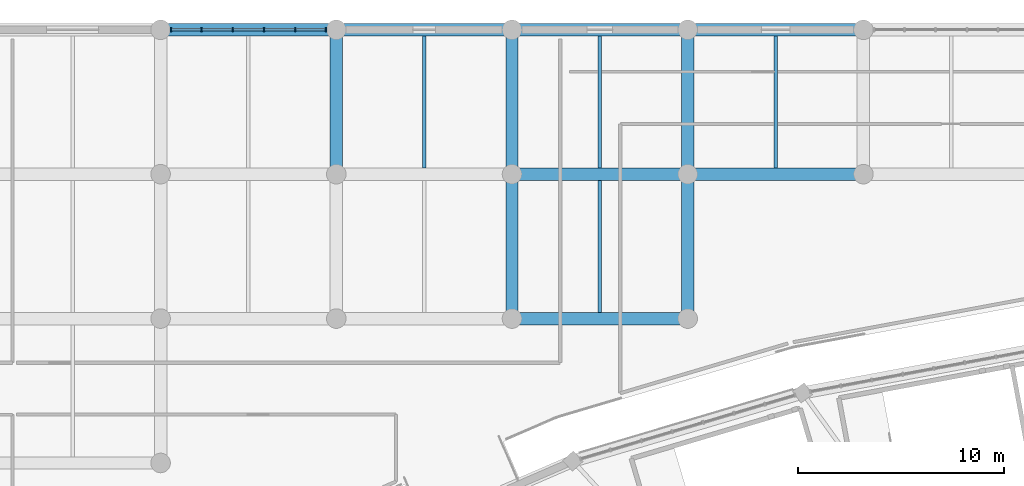
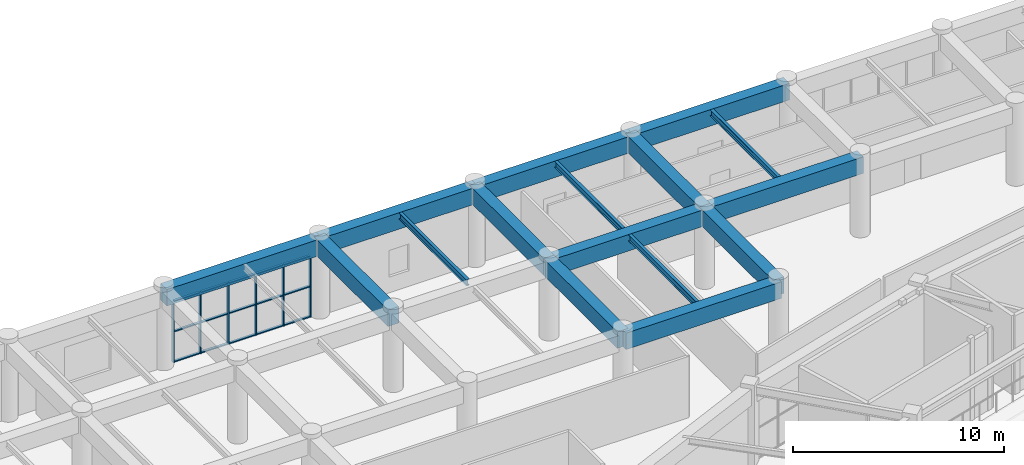
# One storey, part 57 of 137: 21 members, 16 beams, 1 element without a shape of its own.
"""IFC4 building model written with IfcOpenShell, lengths in metres."""

from ifc_helpers import new_model, si_unit, direction, frame, origin, origin_2d, place, context, subcontext, project, spatial, rectangle, i_section, extrude, material, layer, layer_set, material_profile, profile_set, type_object, element, aggregate, save


model = new_model("IFC4")

# Units and contexts
model_context = context("Model", 3, precision=1e-05, world=origin(), true_north=direction((0.0, 1.0)))
body_context = subcontext(model_context, "Body", "Model", "MODEL_VIEW")
ifc_project = project(units=[si_unit("LENGTHUNIT", "METRE"), si_unit("AREAUNIT", "SQUARE_METRE"), si_unit("VOLUMEUNIT", "CUBIC_METRE"), si_unit("PLANEANGLEUNIT", "RADIAN"), si_unit("MASSUNIT", "GRAM", prefix="KILO")], contexts=[model_context])

# Site, building, storey
site_placement = place(None, origin())
site = spatial("IfcSite", under=ifc_project, at=site_placement, CompositionType="ELEMENT")
building_placement = place(site_placement, origin())
building = spatial("IfcBuilding", under=site, at=building_placement, Name="Mphavela Belvedere Stadium", CompositionType="ELEMENT")
storey_placement = place(building_placement, frame((0.0, 0.0, 19.199951171875)))
storey = spatial("IfcBuildingStorey", under=building, at=storey_placement, Name="L04", CompositionType="ELEMENT", Elevation=19.199951171875)

# Beams
ifc_material_1 = material(Name="Concrete C40/50", Category="concrete")
ifc_material_profile_1 = material_profile(ifc_material_1, rectangle(XDim=0.60009765625, YDim=0.949951171875, at=origin_2d()), Name="RC 600x950")
ifc_profile_set_1 = profile_set([ifc_material_profile_1], Name="Concrete C40/50")
beam_type_1 = type_object("IfcBeamType", Name="BM-ENTABLATURE-950", PredefinedType="SPANDREL", material=ifc_profile_set_1)
beam_1_placement = place(storey_placement, frame((34.073974609375, 174.0, 4.06494140625), z_axis=(1.0, 0.0, 0.0), x_axis=(0.0, 1.0, 0.0)))
element("IfcBeam", 1, at=beam_1_placement, inside=storey, type_object=beam_type_1, Name="North Mast and Ceremonial End Forecourt entablature beam X L04 5-8", PredefinedType="SPANDREL", context=body_context, shape_type="SweptSolid", body=[
    extrude(rectangle(XDim=0.60009765625, YDim=0.949951171875, at=origin_2d()), origin(), (0.0, 0.0, 1.0), 8.51904296875),
])
beam_2_placement = place(storey_placement, frame((42.593017578125, 167.0, 4.06494140625), z_axis=(0.0, 1.0, 0.0), x_axis=(-1.0, 0.0, 0.0)))
element("IfcBeam", 2, at=beam_2_placement, inside=storey, type_object=beam_type_1, Name="North Mast and Ceremonial End Forecourt entablature beam Y L04 6-7", PredefinedType="SPANDREL", context=body_context, shape_type="SweptSolid", body=[
    extrude(rectangle(XDim=0.60009765625, YDim=0.949951171875, at=origin_2d()), origin(), (0.0, 0.0, 1.0), 7.0),
])
beam_3_placement = place(storey_placement, frame((42.593017578125, 174.0, 4.06494140625), z_axis=(1.0, 0.0, 0.0), x_axis=(0.0, 1.0, 0.0)))
element("IfcBeam", 3, at=beam_3_placement, inside=storey, type_object=beam_type_1, Name="North Mast and Ceremonial End Forecourt entablature beam X L04 6-8", PredefinedType="SPANDREL", context=body_context, shape_type="SweptSolid", body=[
    extrude(rectangle(XDim=0.60009765625, YDim=0.949951171875, at=origin_2d()), origin(), (0.0, 0.0, 1.0), 8.51806640625),
])
beam_4_placement = place(storey_placement, frame((51.111083984375, 160.0, 4.06494140625), z_axis=(1.0, 0.0, 0.0), x_axis=(0.0, 1.0, 0.0)))
element("IfcBeam", 4, at=beam_4_placement, inside=storey, type_object=beam_type_1, Name="North Mast and Ceremonial End Forecourt entablature beam X L04 7-6", PredefinedType="SPANDREL", context=body_context, shape_type="SweptSolid", body=[
    extrude(rectangle(XDim=0.60009765625, YDim=0.949951171875, at=origin_2d()), origin(), (0.0, 0.0, 1.0), 8.518798828125),
])
beam_5_placement = place(storey_placement, frame((51.111083984375, 160.0, 4.06494140625), z_axis=(0.0, 1.0, 0.0), x_axis=(-1.0, 0.0, 0.0)))
element("IfcBeam", 5, at=beam_5_placement, inside=storey, type_object=beam_type_1, Name="North Mast and Ceremonial End Forecourt entablature beam Y L04 7-6", PredefinedType="SPANDREL", context=body_context, shape_type="SweptSolid", body=[
    extrude(rectangle(XDim=0.60009765625, YDim=0.949951171875, at=origin_2d()), origin(), (0.0, 0.0, 1.0), 7.0),
])
beam_6_placement = place(storey_placement, frame((51.111083984375, 167.0, 4.06494140625), z_axis=(1.0, 0.0, 0.0), x_axis=(0.0, 1.0, 0.0)))
element("IfcBeam", 6, at=beam_6_placement, inside=storey, type_object=beam_type_1, Name="North Mast and Ceremonial End Forecourt entablature beam X L04 7-7", PredefinedType="SPANDREL", context=body_context, shape_type="SweptSolid", body=[
    extrude(rectangle(XDim=0.60009765625, YDim=0.949951171875, at=origin_2d()), origin(), (0.0, 0.0, 1.0), 8.518798828125),
])
beam_7_placement = place(storey_placement, frame((51.111083984375, 167.0, 4.06494140625), z_axis=(0.0, 1.0, 0.0), x_axis=(-1.0, 0.0, 0.0)))
element("IfcBeam", 7, at=beam_7_placement, inside=storey, type_object=beam_type_1, Name="North Mast and Ceremonial End Forecourt entablature beam Y L04 7-7", PredefinedType="SPANDREL", context=body_context, shape_type="SweptSolid", body=[
    extrude(rectangle(XDim=0.60009765625, YDim=0.949951171875, at=origin_2d()), origin(), (0.0, 0.0, 1.0), 7.0),
])
beam_8_placement = place(storey_placement, frame((51.111083984375, 174.0, 4.06494140625), z_axis=(1.0, 0.0, 0.0), x_axis=(0.0, 1.0, 0.0)))
element("IfcBeam", 8, at=beam_8_placement, inside=storey, type_object=beam_type_1, Name="North Mast and Ceremonial End Forecourt entablature beam X L04 7-8", PredefinedType="SPANDREL", context=body_context, shape_type="SweptSolid", body=[
    extrude(rectangle(XDim=0.60009765625, YDim=0.949951171875, at=origin_2d()), origin(), (0.0, 0.0, 1.0), 8.518798828125),
])
beam_9_placement = place(storey_placement, frame((59.6298828125, 160.0, 4.06494140625), z_axis=(0.0, 1.0, 0.0), x_axis=(-1.0, 0.0, 0.0)))
element("IfcBeam", 9, at=beam_9_placement, inside=storey, type_object=beam_type_1, Name="North Mast and Ceremonial End Forecourt entablature beam Y L04 8-6", PredefinedType="SPANDREL", context=body_context, shape_type="SweptSolid", body=[
    extrude(rectangle(XDim=0.60009765625, YDim=0.949951171875, at=origin_2d()), origin(), (0.0, 0.0, 1.0), 7.0),
])
beam_10_placement = place(storey_placement, frame((59.6298828125, 167.0, 4.06494140625), z_axis=(1.0, 0.0, 0.0), x_axis=(0.0, 1.0, 0.0)))
element("IfcBeam", 10, at=beam_10_placement, inside=storey, type_object=beam_type_1, Name="North Mast and Ceremonial End Forecourt entablature beam X L04 8-7", PredefinedType="SPANDREL", context=body_context, shape_type="SweptSolid", body=[
    extrude(rectangle(XDim=0.60009765625, YDim=0.949951171875, at=origin_2d()), origin(), (0.0, 0.0, 1.0), 8.51806640625),
])
beam_11_placement = place(storey_placement, frame((59.6298828125, 167.0, 4.06494140625), z_axis=(0.0, 1.0, 0.0), x_axis=(-1.0, 0.0, 0.0)))
element("IfcBeam", 11, at=beam_11_placement, inside=storey, type_object=beam_type_1, Name="North Mast and Ceremonial End Forecourt entablature beam Y L04 8-7", PredefinedType="SPANDREL", context=body_context, shape_type="SweptSolid", body=[
    extrude(rectangle(XDim=0.60009765625, YDim=0.949951171875, at=origin_2d()), origin(), (0.0, 0.0, 1.0), 7.0),
])
beam_12_placement = place(storey_placement, frame((59.6298828125, 174.0, 4.06494140625), z_axis=(1.0, 0.0, 0.0), x_axis=(0.0, 1.0, 0.0)))
element("IfcBeam", 12, at=beam_12_placement, inside=storey, type_object=beam_type_1, Name="North Mast and Ceremonial End Forecourt entablature beam X L04 8-8", PredefinedType="SPANDREL", context=body_context, shape_type="SweptSolid", body=[
    extrude(rectangle(XDim=0.60009765625, YDim=0.949951171875, at=origin_2d()), origin(), (0.0, 0.0, 1.0), 8.51806640625),
])
ifc_material_2 = material(Name="Steel S355", Category="steel")
ifc_material_profile_2 = material_profile(ifc_material_2, i_section(OverallWidth=0.169921875, OverallDepth=0.360107421875, WebThickness=0.008056640625, FlangeThickness=0.0126953125, at=origin_2d()), Name="IPE 360")
ifc_profile_set_2 = profile_set([ifc_material_profile_2], Name="Steel S355")
beam_type_2 = type_object("IfcBeamType", Name="BM-JOIST-IPE360", PredefinedType="JOIST", material=ifc_profile_set_2)
for number, where, z_axis, x_axis, name in (
    (13, (46.85205078125, 167.300048828125, 4.360107421875), (0.0, 1.0, 0.0), (-1.0, 0.0, 0.0), "North Mast and Ceremonial End Forecourt secondary joist L04 6-7"),
    (14, (55.37060546875, 160.300048828125, 4.360107421875), (0.0, 1.0, 0.0), (-1.0, 0.0, 0.0), "North Mast and Ceremonial End Forecourt secondary joist L04 7-6"),
    (15, (55.37060546875, 167.300048828125, 4.360107421875), (0.0, 1.0, 0.0), (-1.0, 0.0, 0.0), "North Mast and Ceremonial End Forecourt secondary joist L04 7-7"),
    (16, (63.888916015625, 167.300048828125, 4.360107421875), (0.0, 1.0, 0.0), (-1.0, 0.0, 0.0), "North Mast and Ceremonial End Forecourt secondary joist L04 8-7"),
):
    element("IfcBeam", number, at=place(storey_placement, frame(where, z_axis=z_axis, x_axis=x_axis)), inside=storey, type_object=beam_type_2, Name=name, PredefinedType="JOIST", context=body_context, shape_type="SweptSolid", body=[
        extrude(i_section(OverallWidth=0.169921875, OverallDepth=0.360107421875, WebThickness=0.008056640625, FlangeThickness=0.0126953125, at=origin_2d()), origin(), (0.0, 0.0, 1.0), 6.39990234375),
    ])

# Curtain wall, members
ifc_material_3 = material(Name="Anodised bronze unitised curtain wall framing")
ifc_layer = layer(ifc_material_3, 0.195068359375)
ifc_layer_set = layer_set([ifc_layer], Name="Anodised bronze unitised curtain wall framing")
curtain_wall_type = type_object("IfcCurtainWallType", Name="CW-UNIT-04", PredefinedType="USERDEFINED", material=ifc_layer_set)
curtain_wall_placement = place(storey_placement, origin())
curtain_wall = element("IfcCurtainWall", 17, at=curtain_wall_placement, inside=storey, type_object=curtain_wall_type, Name="North Mast and Ceremonial End Forecourt gallery curtain wall L04-05", ObjectType="UNITISED CURTAIN WALL", PredefinedType="USERDEFINED")
ifc_material_4 = material(Name="Anodised bronze extruded aluminium", Category="aluminium")
ifc_material_profile_3 = material_profile(ifc_material_4, rectangle(XDim=0.179931640625, YDim=0.06494140625, at=origin_2d()), Name="CW-MUL 180x65")
ifc_profile_set_3 = profile_set([ifc_material_profile_3], Name="Anodised bronze extruded aluminium")
member_type_1 = type_object("IfcMemberType", Name="CWM-180x65", PredefinedType="MULLION", material=ifc_profile_set_3)
member_1_placement = place(storey_placement, frame((34.57958984375, 174.0, 0.0), z_axis=(0.0, 0.0, 1.0), x_axis=(0.0, 1.0, 0.0)))
member_1 = element("IfcMember", 18, at=member_1_placement, type_object=member_type_1, Name="CW-04 mullion 1", PredefinedType="MULLION", context=body_context, shape_type="SweptSolid", body=[
    extrude(rectangle(XDim=0.179931640625, YDim=0.06494140625, at=origin_2d()), origin(), (0.0, 0.0, 1.0), 3.56005859375),
])
member_2_placement = place(storey_placement, frame((36.0615234375, 174.0, 0.0), z_axis=(0.0, 0.0, 1.0), x_axis=(0.0, 1.0, 0.0)))
member_2 = element("IfcMember", 19, at=member_2_placement, type_object=member_type_1, Name="CW-04 mullion 2", PredefinedType="MULLION", context=body_context, shape_type="SweptSolid", body=[
    extrude(rectangle(XDim=0.179931640625, YDim=0.06494140625, at=origin_2d()), origin(), (0.0, 0.0, 1.0), 3.56005859375),
])
member_3_placement = place(storey_placement, frame((37.576171875, 174.0, 0.0), z_axis=(0.0, 0.0, 1.0), x_axis=(0.0, 1.0, 0.0)))
member_3 = element("IfcMember", 20, at=member_3_placement, type_object=member_type_1, Name="CW-04 mullion 3", PredefinedType="MULLION", context=body_context, shape_type="SweptSolid", body=[
    extrude(rectangle(XDim=0.179931640625, YDim=0.06494140625, at=origin_2d()), origin(), (0.0, 0.0, 1.0), 3.56005859375),
])
member_4_placement = place(storey_placement, frame((39.0908203125, 174.0, 0.0), z_axis=(0.0, 0.0, 1.0), x_axis=(0.0, 1.0, 0.0)))
member_4 = element("IfcMember", 21, at=member_4_placement, type_object=member_type_1, Name="CW-04 mullion 4", PredefinedType="MULLION", context=body_context, shape_type="SweptSolid", body=[
    extrude(rectangle(XDim=0.179931640625, YDim=0.06494140625, at=origin_2d()), origin(), (0.0, 0.0, 1.0), 3.56005859375),
])
member_5_placement = place(storey_placement, frame((40.60546875, 174.0, 0.0), z_axis=(0.0, 0.0, 1.0), x_axis=(0.0, 1.0, 0.0)))
member_5 = element("IfcMember", 22, at=member_5_placement, type_object=member_type_1, Name="CW-04 mullion 5", PredefinedType="MULLION", context=body_context, shape_type="SweptSolid", body=[
    extrude(rectangle(XDim=0.179931640625, YDim=0.06494140625, at=origin_2d()), origin(), (0.0, 0.0, 1.0), 3.56005859375),
])
member_6_placement = place(storey_placement, frame((42.08740234375, 174.0, 0.0), z_axis=(0.0, 0.0, 1.0), x_axis=(0.0, 1.0, 0.0)))
member_6 = element("IfcMember", 23, at=member_6_placement, type_object=member_type_1, Name="CW-04 mullion 6", PredefinedType="MULLION", context=body_context, shape_type="SweptSolid", body=[
    extrude(rectangle(XDim=0.179931640625, YDim=0.06494140625, at=origin_2d()), origin(), (0.0, 0.0, 1.0), 3.56005859375),
])
ifc_material_5 = material(Name="Anodised bronze extruded aluminium", Category="aluminium")
ifc_material_profile_4 = material_profile(ifc_material_5, rectangle(XDim=0.139892578125, YDim=0.06005859375, at=origin_2d()), Name="CW-TRN 140x60")
ifc_profile_set_4 = profile_set([ifc_material_profile_4], Name="Anodised bronze extruded aluminium")
member_type_2 = type_object("IfcMemberType", Name="CWT-140x60", PredefinedType="USERDEFINED", material=ifc_profile_set_4)
member_7_placement = place(storey_placement, frame((34.612060546875, 174.0, 0.030029296875), z_axis=(1.0, 0.0, 0.0), x_axis=(0.0, 1.0, 0.0)))
member_7 = element("IfcMember", 24, at=member_7_placement, type_object=member_type_2, Name="CW-04 transom 1.1", ObjectType="TRANSOM", PredefinedType="USERDEFINED", context=body_context, shape_type="SweptSolid", body=[
    extrude(rectangle(XDim=0.139892578125, YDim=0.06005859375, at=origin_2d()), origin(), (0.0, 0.0, 1.0), 1.4169921875),
])
member_8_placement = place(storey_placement, frame((34.612060546875, 174.0, 1.780029296875), z_axis=(1.0, 0.0, 0.0), x_axis=(0.0, 1.0, 0.0)))
member_8 = element("IfcMember", 25, at=member_8_placement, type_object=member_type_2, Name="CW-04 transom 1.2", ObjectType="TRANSOM", PredefinedType="USERDEFINED", context=body_context, shape_type="SweptSolid", body=[
    extrude(rectangle(XDim=0.139892578125, YDim=0.06005859375, at=origin_2d()), origin(), (0.0, 0.0, 1.0), 1.4169921875),
])
member_9_placement = place(storey_placement, frame((34.612060546875, 174.0, 3.530029296875), z_axis=(1.0, 0.0, 0.0), x_axis=(0.0, 1.0, 0.0)))
member_9 = element("IfcMember", 26, at=member_9_placement, type_object=member_type_2, Name="CW-04 transom 1.3", ObjectType="TRANSOM", PredefinedType="USERDEFINED", context=body_context, shape_type="SweptSolid", body=[
    extrude(rectangle(XDim=0.139892578125, YDim=0.06005859375, at=origin_2d()), origin(), (0.0, 0.0, 1.0), 1.4169921875),
])
member_10_placement = place(storey_placement, frame((36.093994140625, 174.0, 0.030029296875), z_axis=(1.0, 0.0, 0.0), x_axis=(0.0, 1.0, 0.0)))
member_10 = element("IfcMember", 27, at=member_10_placement, type_object=member_type_2, Name="CW-04 transom 2.1", ObjectType="TRANSOM", PredefinedType="USERDEFINED", context=body_context, shape_type="SweptSolid", body=[
    extrude(rectangle(XDim=0.139892578125, YDim=0.06005859375, at=origin_2d()), origin(), (0.0, 0.0, 1.0), 1.44970703125),
])
member_11_placement = place(storey_placement, frame((36.093994140625, 174.0, 1.780029296875), z_axis=(1.0, 0.0, 0.0), x_axis=(0.0, 1.0, 0.0)))
member_11 = element("IfcMember", 28, at=member_11_placement, type_object=member_type_2, Name="CW-04 transom 2.2", ObjectType="TRANSOM", PredefinedType="USERDEFINED", context=body_context, shape_type="SweptSolid", body=[
    extrude(rectangle(XDim=0.139892578125, YDim=0.06005859375, at=origin_2d()), origin(), (0.0, 0.0, 1.0), 1.44970703125),
])
member_12_placement = place(storey_placement, frame((36.093994140625, 174.0, 3.530029296875), z_axis=(1.0, 0.0, 0.0), x_axis=(0.0, 1.0, 0.0)))
member_12 = element("IfcMember", 29, at=member_12_placement, type_object=member_type_2, Name="CW-04 transom 2.3", ObjectType="TRANSOM", PredefinedType="USERDEFINED", context=body_context, shape_type="SweptSolid", body=[
    extrude(rectangle(XDim=0.139892578125, YDim=0.06005859375, at=origin_2d()), origin(), (0.0, 0.0, 1.0), 1.44970703125),
])
member_13_placement = place(storey_placement, frame((37.608642578125, 174.0, 0.030029296875), z_axis=(1.0, 0.0, 0.0), x_axis=(0.0, 1.0, 0.0)))
member_13 = element("IfcMember", 30, at=member_13_placement, type_object=member_type_2, Name="CW-04 transom 3.1", ObjectType="TRANSOM", PredefinedType="USERDEFINED", context=body_context, shape_type="SweptSolid", body=[
    extrude(rectangle(XDim=0.139892578125, YDim=0.06005859375, at=origin_2d()), origin(), (0.0, 0.0, 1.0), 1.44970703125),
])
member_14_placement = place(storey_placement, frame((37.608642578125, 174.0, 1.780029296875), z_axis=(1.0, 0.0, 0.0), x_axis=(0.0, 1.0, 0.0)))
member_14 = element("IfcMember", 31, at=member_14_placement, type_object=member_type_2, Name="CW-04 transom 3.2", ObjectType="TRANSOM", PredefinedType="USERDEFINED", context=body_context, shape_type="SweptSolid", body=[
    extrude(rectangle(XDim=0.139892578125, YDim=0.06005859375, at=origin_2d()), origin(), (0.0, 0.0, 1.0), 1.44970703125),
])
member_15_placement = place(storey_placement, frame((37.608642578125, 174.0, 3.530029296875), z_axis=(1.0, 0.0, 0.0), x_axis=(0.0, 1.0, 0.0)))
member_15 = element("IfcMember", 32, at=member_15_placement, type_object=member_type_2, Name="CW-04 transom 3.3", ObjectType="TRANSOM", PredefinedType="USERDEFINED", context=body_context, shape_type="SweptSolid", body=[
    extrude(rectangle(XDim=0.139892578125, YDim=0.06005859375, at=origin_2d()), origin(), (0.0, 0.0, 1.0), 1.44970703125),
])
member_16_placement = place(storey_placement, frame((39.123291015625, 174.0, 0.030029296875), z_axis=(1.0, 0.0, 0.0), x_axis=(0.0, 1.0, 0.0)))
member_16 = element("IfcMember", 33, at=member_16_placement, type_object=member_type_2, Name="CW-04 transom 4.1", ObjectType="TRANSOM", PredefinedType="USERDEFINED", context=body_context, shape_type="SweptSolid", body=[
    extrude(rectangle(XDim=0.139892578125, YDim=0.06005859375, at=origin_2d()), origin(), (0.0, 0.0, 1.0), 1.44970703125),
])
member_17_placement = place(storey_placement, frame((39.123291015625, 174.0, 1.780029296875), z_axis=(1.0, 0.0, 0.0), x_axis=(0.0, 1.0, 0.0)))
member_17 = element("IfcMember", 34, at=member_17_placement, type_object=member_type_2, Name="CW-04 transom 4.2", ObjectType="TRANSOM", PredefinedType="USERDEFINED", context=body_context, shape_type="SweptSolid", body=[
    extrude(rectangle(XDim=0.139892578125, YDim=0.06005859375, at=origin_2d()), origin(), (0.0, 0.0, 1.0), 1.44970703125),
])
member_18_placement = place(storey_placement, frame((39.123291015625, 174.0, 3.530029296875), z_axis=(1.0, 0.0, 0.0), x_axis=(0.0, 1.0, 0.0)))
member_18 = element("IfcMember", 35, at=member_18_placement, type_object=member_type_2, Name="CW-04 transom 4.3", ObjectType="TRANSOM", PredefinedType="USERDEFINED", context=body_context, shape_type="SweptSolid", body=[
    extrude(rectangle(XDim=0.139892578125, YDim=0.06005859375, at=origin_2d()), origin(), (0.0, 0.0, 1.0), 1.44970703125),
])
member_19_placement = place(storey_placement, frame((40.637939453125, 174.0, 0.030029296875), z_axis=(1.0, 0.0, 0.0), x_axis=(0.0, 1.0, 0.0)))
member_19 = element("IfcMember", 36, at=member_19_placement, type_object=member_type_2, Name="CW-04 transom 5.1", ObjectType="TRANSOM", PredefinedType="USERDEFINED", context=body_context, shape_type="SweptSolid", body=[
    extrude(rectangle(XDim=0.139892578125, YDim=0.06005859375, at=origin_2d()), origin(), (0.0, 0.0, 1.0), 1.4169921875),
])
member_20_placement = place(storey_placement, frame((40.637939453125, 174.0, 1.780029296875), z_axis=(1.0, 0.0, 0.0), x_axis=(0.0, 1.0, 0.0)))
member_20 = element("IfcMember", 37, at=member_20_placement, type_object=member_type_2, Name="CW-04 transom 5.2", ObjectType="TRANSOM", PredefinedType="USERDEFINED", context=body_context, shape_type="SweptSolid", body=[
    extrude(rectangle(XDim=0.139892578125, YDim=0.06005859375, at=origin_2d()), origin(), (0.0, 0.0, 1.0), 1.4169921875),
])
member_21_placement = place(storey_placement, frame((40.637939453125, 174.0, 3.530029296875), z_axis=(1.0, 0.0, 0.0), x_axis=(0.0, 1.0, 0.0)))
member_21 = element("IfcMember", 38, at=member_21_placement, type_object=member_type_2, Name="CW-04 transom 5.3", ObjectType="TRANSOM", PredefinedType="USERDEFINED", context=body_context, shape_type="SweptSolid", body=[
    extrude(rectangle(XDim=0.139892578125, YDim=0.06005859375, at=origin_2d()), origin(), (0.0, 0.0, 1.0), 1.4169921875),
])
aggregate(curtain_wall, [member_1, member_2, member_3, member_4, member_5, member_6, member_7, member_8, member_9, member_10, member_11, member_12, member_13, member_14, member_15, member_16, member_17, member_18, member_19, member_20, member_21])

save(model, "model.ifc")
